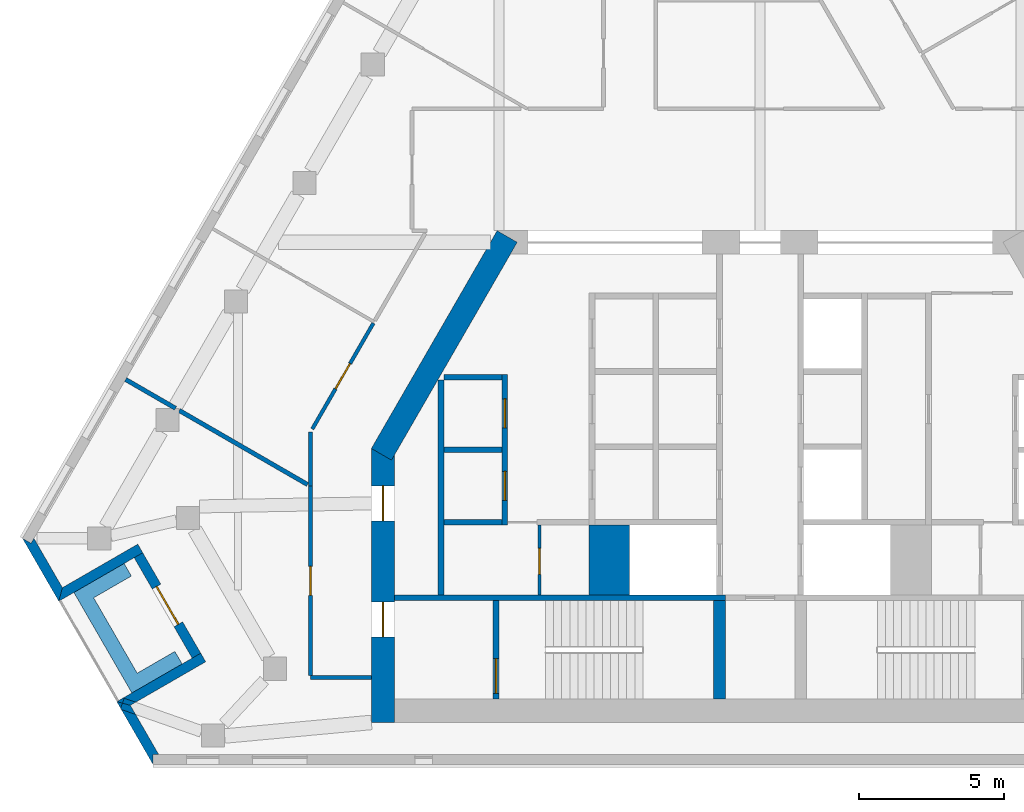
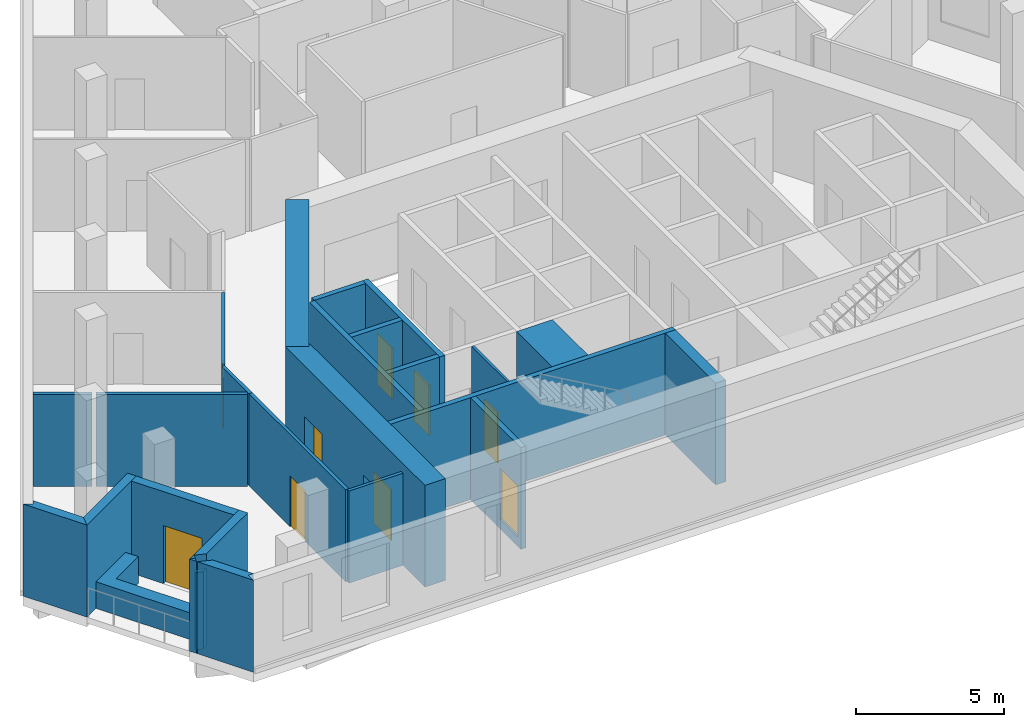
# One storey, part 2 of 9: 27 walls, 9 doors, 9 openings.
"""IFC4 building model written with IfcOpenShell, lengths in metres."""

import ifcopenshell
import ifcopenshell.guid

model = None  # the IFC model being written
_history = None  # IfcOwnerHistory: only IFC2X3 demands one
_inside = {}  # id of a spatial element -> (the spatial element, [elements in it])
_under = {}  # id of a project, library or spatial element -> (it, [spatial elements below it])
_declared = {}  # id of a project -> (the project, [libraries it declares])
_typed = {}  # id of a type object -> (the type object, [elements of that type])
_made_of = {}  # id of a material, layer set ... -> (it, [elements and type objects made of it])


def new_model(schema):
    """Start an empty IFC model of exactly this schema.

    Asked for "IFC4X3", IfcOpenShell would pick the latest addendum, in which some entities
    have other attributes; the version numbers below select the first issue.
    IFC2X3 requires an IfcOwnerHistory on every rooted entity: one is made here for all.
    """
    global model, _history
    if schema == "IFC4X3":
        model = ifcopenshell.file(schema_version=(4, 3, 0, 0))
    else:
        model = ifcopenshell.file(schema=schema)
    _inside.clear()
    _under.clear()
    _declared.clear()
    _typed.clear()
    _made_of.clear()
    _history = None
    if model.schema == "IFC2X3":
        org = make("IfcOrganization", Name="unknown")
        user = make(
            "IfcPersonAndOrganization",
            ThePerson=make("IfcPerson", FamilyName="unknown"),
            TheOrganization=org,
        )
        app = make(
            "IfcApplication",
            ApplicationDeveloper=org,
            Version="unknown",
            ApplicationFullName="unknown",
            ApplicationIdentifier="unknown",
        )
        _history = make(
            "IfcOwnerHistory",
            OwningUser=user,
            OwningApplication=app,
            ChangeAction="ADDED",
            CreationDate=0,
        )
    return model


def make(cls, **values):
    """One entity of the class cls with the attributes given. An attribute that is None is left unset."""
    return model.create_entity(
        cls, **{name: value for name, value in values.items() if value is not None}
    )


def rooted(cls, **values):
    """An entity with a GlobalId (a new one), such as an element, a storey or a relation."""
    return make(cls, GlobalId=ifcopenshell.guid.new(), OwnerHistory=_history, **values)


def si_unit(unit_type, name, prefix=None):
    """IfcSIUnit, for example si_unit("LENGTHUNIT", "METRE", prefix="MILLI")."""
    return make("IfcSIUnit", UnitType=unit_type, Prefix=prefix, Name=name)


def assignment(units):
    """IfcUnitAssignment: the units of a project."""
    return None if units is None else make("IfcUnitAssignment", Units=units)


def point(xyz):
    """IfcCartesianPoint."""
    return None if xyz is None else make("IfcCartesianPoint", Coordinates=xyz)


def direction(xyz):
    """IfcDirection."""
    return None if xyz is None else make("IfcDirection", DirectionRatios=xyz)


def frame(location, z_axis=None, x_axis=None):
    """IfcAxis2Placement3D, a coordinate frame: its origin and axes. An axis left out is left unset."""
    return make(
        "IfcAxis2Placement3D",
        Location=point(location),
        Axis=direction(z_axis),
        RefDirection=direction(x_axis),
    )


def frame_2d(location, x_axis=None):
    """IfcAxis2Placement2D, a coordinate frame in the plane: its origin and x axis."""
    return make(
        "IfcAxis2Placement2D", Location=point(location), RefDirection=direction(x_axis)
    )


def origin():
    """The frame at (0, 0, 0) with its axes left unset."""
    return frame((0.0, 0.0, 0.0))


def place(relative_to, where):
    """IfcLocalPlacement: puts the frame where relative to a parent placement (None: the world)."""
    return make(
        "IfcLocalPlacement", PlacementRelTo=relative_to, RelativePlacement=where
    )


def context(
    kind, dimensions, precision=None, world=None, true_north=None, identifier=None
):
    """IfcGeometricRepresentationContext, for example the 3D "Model" context."""
    return make(
        "IfcGeometricRepresentationContext",
        ContextIdentifier=identifier,
        ContextType=kind,
        CoordinateSpaceDimension=dimensions,
        Precision=precision,
        WorldCoordinateSystem=world,
        TrueNorth=true_north,
    )


def subcontext(parent, identifier, kind, view, scale=None):
    """IfcGeometricRepresentationSubContext, for example "Body" below "Model"."""
    return make(
        "IfcGeometricRepresentationSubContext",
        ContextIdentifier=identifier,
        ContextType=kind,
        ParentContext=parent,
        TargetScale=scale,
        TargetView=view,
    )


def project(units=None, contexts=None):
    """IfcProject with its units and contexts."""
    return rooted(
        "IfcProject",
        Name="project",
        RepresentationContexts=contexts,
        UnitsInContext=assignment(units),
    )


def spatial(cls, under=None, at=None, **own):
    """A site, building, storey or space (cls), placed at a placement, below another one or the project."""
    s = rooted(cls, ObjectPlacement=at, **own)
    if under is not None:
        _under.setdefault(under.id(), (under, []))[1].append(s)
    return s


def polyline(points):
    """IfcPolyline through the points."""
    return make("IfcPolyline", Points=[point(p) for p in points])


def profile(cls, at=None, kind="AREA", **sizes):
    """A parametric profile (cls). Its sizes go by their IFC names, for example OverallWidth=200.0."""
    return make(cls, ProfileType=kind, Position=at, **sizes)


def rectangle(**sizes):
    """IfcRectangleProfileDef."""
    return profile("IfcRectangleProfileDef", **sizes)


def outline(outer, holes=None, kind="AREA"):
    """IfcArbitraryClosedProfileDef: a profile drawn as a closed curve; with holes, ...WithVoids."""
    if holes is None:
        return make("IfcArbitraryClosedProfileDef", ProfileType=kind, OuterCurve=outer)
    return make(
        "IfcArbitraryProfileDefWithVoids",
        ProfileType=kind,
        OuterCurve=outer,
        InnerCurves=holes,
    )


def extrude(swept, where, along, depth):
    """IfcExtrudedAreaSolid: the profile swept, set in the frame where, extruded along a direction by depth."""
    return make(
        "IfcExtrudedAreaSolid",
        SweptArea=swept,
        Position=where,
        ExtrudedDirection=direction(along),
        Depth=depth,
    )


def shape(context_of_items, identifier, shape_type, items):
    """IfcShapeRepresentation: the items that make up one representation, for example the "Body"."""
    return make(
        "IfcShapeRepresentation",
        ContextOfItems=context_of_items,
        RepresentationIdentifier=identifier,
        RepresentationType=shape_type,
        Items=items,
    )


def material(Name=None, Category=None):
    """IfcMaterial."""
    return make("IfcMaterial", Name=Name, Category=Category)


def layer(
    of_material, thickness, ventilated=None, Name=None, Category=None, Priority=None
):
    """IfcMaterialLayer: one layer of a wall or slab, of a material (None: an air gap)."""
    return make(
        "IfcMaterialLayer",
        Material=of_material,
        LayerThickness=thickness,
        IsVentilated=ventilated,
        Name=Name,
        Category=Category,
        Priority=Priority,
    )


def layer_set(layers, Name=None):
    """IfcMaterialLayerSet."""
    return make("IfcMaterialLayerSet", MaterialLayers=layers, LayerSetName=Name)


def made_of(thing, what):
    """Note that an element or type object is made of a material, layer set ...; save() writes the relation."""
    if what is not None:
        _made_of.setdefault(what.id(), (what, []))[1].append(thing)
    return thing


def type_object(cls, material=None, **own):
    """A type object (cls), such as IfcWallType, which elements share."""
    return made_of(rooted(cls, **own), material)


def element(
    cls,
    number,
    at=None,
    inside=None,
    cuts=None,
    type_object=None,
    material=None,
    context=None,
    identifier="Body",
    shape_type=None,
    held_by="IfcProductDefinitionShape",
    body=None,
    shapes=None,
    **own,
):
    """One element of the class cls, such as IfcWall. Its Tag is "e" and its number.

    at: its placement. inside: the storey or other place that contains it. cuts: it is an
    opening in that element (IfcRelVoidsElement). A single representation is given by context,
    identifier, shape_type and body (its items); several are given by shapes. held_by: the class
    of the entity that holds the representations. save() writes the other relations.
    """
    e = rooted(cls, Tag="e%d" % number, ObjectPlacement=at, **own)
    if body is not None:
        shapes = [shape(context, identifier, shape_type, body)]
    if shapes is not None:
        e.Representation = make(held_by, Representations=shapes)
    if inside is not None:
        _inside.setdefault(inside.id(), (inside, []))[1].append(e)
    if cuts is not None:
        rooted(
            "IfcRelVoidsElement", RelatingBuildingElement=cuts, RelatedOpeningElement=e
        )
    if type_object is not None:
        _typed.setdefault(type_object.id(), (type_object, []))[1].append(e)
    return made_of(e, material)


def fill(opening, filler):
    """IfcRelFillsElement: the door or window that sits in an opening."""
    return rooted(
        "IfcRelFillsElement",
        RelatingOpeningElement=opening,
        RelatedBuildingElement=filler,
    )


def aggregate(whole, parts):
    """IfcRelAggregates: a whole, such as a stair, and the parts it consists of."""
    return rooted("IfcRelAggregates", RelatingObject=whole, RelatedObjects=parts)


def save(model, path):
    """Write the relations noted so far, then the file.

    IfcRelAggregates (storeys below a building ...), IfcRelContainedInSpatialStructure (elements
    in a storey), IfcRelDefinesByType, IfcRelAssociatesMaterial and IfcRelDeclares: one each for
    every whole, place, type object, material and project.
    """
    for whole, parts in _under.values():
        aggregate(whole, parts)
    for where, things in _inside.values():
        rooted(
            "IfcRelContainedInSpatialStructure",
            RelatedElements=things,
            RelatingStructure=where,
        )
    for kind, things in _typed.values():
        rooted("IfcRelDefinesByType", RelatedObjects=things, RelatingType=kind)
    for what, things in _made_of.values():
        rooted("IfcRelAssociatesMaterial", RelatedObjects=things, RelatingMaterial=what)
    for by, libraries in _declared.values():
        rooted("IfcRelDeclares", RelatingContext=by, RelatedDefinitions=libraries)
    model.write(path)


model = new_model("IFC4")

# Units and contexts
model_context = context("Model", 3, precision=1e-05, world=origin(), true_north=direction((0.0, 1.0)))
body_context = subcontext(model_context, "Body", "Model", "MODEL_VIEW")
ifc_project = project(units=[si_unit("LENGTHUNIT", "METRE"), si_unit("AREAUNIT", "SQUARE_METRE"), si_unit("VOLUMEUNIT", "CUBIC_METRE"), si_unit("PLANEANGLEUNIT", "RADIAN"), si_unit("MASSUNIT", "GRAM", prefix="KILO")], contexts=[model_context])

# Site, building, storey
site_placement = place(None, origin())
site = spatial("IfcSite", under=ifc_project, at=site_placement, CompositionType="ELEMENT")
building_placement = place(site_placement, origin())
building = spatial("IfcBuilding", under=site, at=building_placement, Name="Fogline Exchange Tower", CompositionType="ELEMENT")
storey_placement = place(building_placement, frame((0.0, 0.0, 279.300048828125)))
storey = spatial("IfcBuildingStorey", under=building, at=storey_placement, Name="L63", CompositionType="ELEMENT", Elevation=279.300048828125)

# Wall, opening, door
ifc_material_1 = material(Name="Blockwork partition", Category="masonry")
ifc_layer_1 = layer(ifc_material_1, 0.10009765625)
ifc_layer_set_1 = layer_set([ifc_layer_1], Name="CW10")
wall_type_1 = type_object("IfcWallType", Name="CW10", PredefinedType="PARTITIONING", material=ifc_layer_set_1)
wall_1_placement = place(storey_placement, frame((-7.60009765625, 5.85009765625, 0.0), z_axis=(0.0, 0.0, 1.0), x_axis=(0.0, 1.0, 0.0)))
wall_1 = element("IfcWall", 1, at=wall_1_placement, inside=storey, type_object=wall_type_1, Name="WC partition", PredefinedType="PARTITIONING", context=body_context, shape_type="SweptSolid", body=[
    extrude(rectangle(XDim=2.39990234375, YDim=0.10009765625, at=frame_2d((1.199951171875, 0.0))), origin(), (0.0, 0.0, 1.0), 3.800048828125),
])
opening_1_placement = place(wall_1_placement, frame((0.699951171875, 0.0, 0.0)))
opening_1 = element("IfcOpeningElement", 2, at=opening_1_placement, cuts=wall_1, Name="Opening T20-C013", PredefinedType="OPENING", context=body_context, shape_type="SweptSolid", body=[
    extrude(rectangle(XDim=0.89990234375, YDim=2.10009765625, at=frame_2d((0.449951171875, 1.050048828125))), frame((0.0, 0.06005859375, 0.0), z_axis=(0.0, -1.0, 0.0), x_axis=(1.0, 0.0, 0.0)), (0.0, 0.0, 1.0), 0.1201171875),
])
ifc_material_2 = material(Name="Steel and timber fire door", Category="steel")
door_type_1 = type_object("IfcDoorType", Name="D-CS1", OperationType="SINGLE_SWING_RIGHT", PredefinedType="DOOR", material=ifc_material_2)
door_1_placement = place(opening_1_placement, frame((0.89990234375, 0.0, 0.0), z_axis=(0.0, 0.0, 1.0), x_axis=(-1.0, 0.0, 0.0)))
door_1 = element("IfcDoor", 3, at=door_1_placement, inside=storey, type_object=door_type_1, Name="Door to Cleaner's Store", OperationType="SINGLE_SWING_RIGHT", OverallHeight=2.10009765625, OverallWidth=0.89990234375, PredefinedType="DOOR", context=body_context, shape_type="SweptSolid", body=[
    extrude(rectangle(XDim=0.89990234375, YDim=2.10009765625, at=frame_2d((0.449951171875, 1.050048828125))), frame((0.0, 0.02490234375, 0.0), z_axis=(0.0, -1.0, 0.0), x_axis=(1.0, 0.0, 0.0)), (0.0, 0.0, 1.0), 0.050048828125),
])
fill(opening_1, door_1)

# Walls
ifc_material_3 = material(Name="Concrete C60", Category="concrete")
ifc_layer_2 = layer(ifc_material_3, 1.39990234375)
ifc_layer_set_2 = layer_set([ifc_layer_2], Name="CW140")
wall_type_2 = type_object("IfcWallType", Name="CW140", PredefinedType="SOLIDWALL", material=ifc_layer_set_2)
wall_2_placement = place(storey_placement, frame((-5.199951171875, 5.85009765625, -0.400146484375), z_axis=(0.0, 0.0, 1.0), x_axis=(0.0, 1.0, 0.0)))
element("IfcWall", 4, at=wall_2_placement, inside=storey, type_object=wall_type_2, Name="Lift shaft block wall", PredefinedType="SOLIDWALL", context=body_context, shape_type="SweptSolid", body=[
    extrude(rectangle(XDim=2.39990234375, YDim=1.39990234375, at=frame_2d((1.199951171875, 0.0))), origin(), (0.0, 0.0, 1.0), 4.2001953125),
])
ifc_material_4 = material(Name="Concrete C40", Category="concrete")
ifc_layer_3 = layer(ifc_material_4, 0.199951171875)
ifc_layer_set_3 = layer_set([ifc_layer_3], Name="CW20")
wall_type_3 = type_object("IfcWallType", Name="CW20", PredefinedType="SOLIDWALL", material=ifc_layer_set_3)
wall_3_placement = place(storey_placement, frame((-11.0, 5.85009765625, 0.0), z_axis=(0.0, 0.0, 1.0), x_axis=(0.0, 1.0, 0.0)))
element("IfcWall", 5, at=wall_3_placement, inside=storey, type_object=wall_type_3, Name="Service room wall", PredefinedType="SOLIDWALL", context=body_context, shape_type="SweptSolid", body=[
    extrude(rectangle(XDim=7.39990234375, YDim=0.199951171875, at=frame_2d((3.699951171875, 0.0))), origin(), (0.0, 0.0, 1.0), 3.800048828125),
])
wall_4_placement = place(storey_placement, frame((-10.89990234375, 10.85009765625, 0.0), z_axis=(0.0, 0.0, 1.0), x_axis=(1.0, 0.0, 0.0)))
element("IfcWall", 6, at=wall_4_placement, inside=storey, type_object=wall_type_3, Name="Service room wall", PredefinedType="SOLIDWALL", context=body_context, shape_type="SweptSolid", body=[
    extrude(rectangle(XDim=2.0, YDim=0.199951171875, at=frame_2d((1.0, 0.0))), origin(), (0.0, 0.0, 1.0), 3.800048828125),
])
ifc_layer_4 = layer(ifc_material_4, 0.199951171875)
ifc_layer_set_4 = layer_set([ifc_layer_4], Name="CW20R")
wall_type_4 = type_object("IfcWallType", Name="CW20R", PredefinedType="SOLIDWALL", material=ifc_layer_set_4)
wall_5_placement = place(storey_placement, frame((-12.60009765625, 5.75, -0.400146484375), z_axis=(0.0, 0.0, 1.0), x_axis=(1.0, 0.0, 0.0)))
element("IfcWall", 7, at=wall_5_placement, inside=storey, type_object=wall_type_4, Name="Stair enclosure wall", PredefinedType="SOLIDWALL", context=body_context, shape_type="SweptSolid", body=[
    extrude(rectangle(XDim=11.400146484375, YDim=0.199951171875, at=frame_2d((5.7001953125, 0.0))), origin(), (0.0, 0.0, 1.0), 4.2001953125),
])

# Wall, opening, door
wall_6_placement = place(storey_placement, frame((-9.10009765625, 2.25, -0.400146484375), z_axis=(0.0, 0.0, 1.0), x_axis=(0.0, 1.0, 0.0)))
wall_6 = element("IfcWall", 8, at=wall_6_placement, inside=storey, type_object=wall_type_4, Name="Stair enclosure wall", PredefinedType="SOLIDWALL", context=body_context, shape_type="SweptSolid", body=[
    extrude(rectangle(XDim=3.39990234375, YDim=0.199951171875, at=frame_2d((1.699951171875, 0.0))), origin(), (0.0, 0.0, 1.0), 4.2001953125),
])
opening_2_placement = place(wall_6_placement, frame((0.199951171875, 0.0, 0.39990234375)))
opening_2 = element("IfcOpeningElement", 9, at=opening_2_placement, cuts=wall_6, Name="Opening T20-C015", PredefinedType="OPENING", context=body_context, shape_type="SweptSolid", body=[
    extrude(rectangle(XDim=1.199951171875, YDim=2.10009765625, at=frame_2d((0.60009765625, 1.050048828125))), frame((0.0, 0.10986328125, 0.0), z_axis=(0.0, -1.0, 0.0), x_axis=(1.0, 0.0, 0.0)), (0.0, 0.0, 1.0), 0.219970703125),
])
door_type_2 = type_object("IfcDoorType", Name="D-ST1", OperationType="SINGLE_SWING_LEFT", PredefinedType="DOOR", material=ifc_material_2)
door_2_placement = place(opening_2_placement, frame((1.199951171875, 0.0, 0.0), z_axis=(0.0, 0.0, 1.0), x_axis=(-1.0, 0.0, 0.0)))
door_2 = element("IfcDoor", 10, at=door_2_placement, inside=storey, type_object=door_type_2, Name="Stair door ST1", OperationType="SINGLE_SWING_RIGHT", OverallHeight=2.10009765625, OverallWidth=1.199951171875, PredefinedType="DOOR", context=body_context, shape_type="SweptSolid", body=[
    extrude(rectangle(XDim=1.199951171875, YDim=2.10009765625, at=frame_2d((0.60009765625, 1.050048828125))), frame((0.0, 0.02490234375, 0.0), z_axis=(0.0, -1.0, 0.0), x_axis=(1.0, 0.0, 0.0)), (0.0, 0.0, 1.0), 0.050048828125),
])
fill(opening_2, door_2)

# Wall, openings, doors
ifc_layer_5 = layer(ifc_material_4, 0.199951171875)
ifc_layer_set_5 = layer_set([ifc_layer_5], Name="CW20S")
wall_type_5 = type_object("IfcWallType", Name="CW20S", PredefinedType="SOLIDWALL", material=ifc_layer_set_5)
wall_7_placement = place(storey_placement, frame((-8.800048828125, 8.25, -0.400146484375), z_axis=(0.0, 0.0, 1.0), x_axis=(0.0, 1.0, 0.0)))
wall_7 = element("IfcWall", 11, at=wall_7_placement, inside=storey, type_object=wall_type_5, Name="Lift shaft wall", PredefinedType="SOLIDWALL", context=body_context, shape_type="SweptSolid", body=[
    extrude(rectangle(XDim=5.199951171875, YDim=0.199951171875, at=frame_2d((2.60009765625, 0.0))), origin(), (0.0, 0.0, 1.0), 4.2001953125),
])
opening_3_placement = place(wall_7_placement, frame((0.85009765625, 0.0, 0.39990234375)))
opening_3 = element("IfcOpeningElement", 12, at=opening_3_placement, cuts=wall_7, Name="Opening T20-C001", PredefinedType="OPENING", context=body_context, shape_type="SweptSolid", body=[
    extrude(rectangle(XDim=1.0, YDim=2.10009765625, at=frame_2d((0.5, 1.050048828125))), frame((0.0, 0.10986328125, 0.0), z_axis=(0.0, -1.0, 0.0), x_axis=(1.0, 0.0, 0.0)), (0.0, 0.0, 1.0), 0.219970703125),
])
opening_4_placement = place(wall_7_placement, frame((3.35009765625, 0.0, 0.39990234375)))
opening_4 = element("IfcOpeningElement", 13, at=opening_4_placement, cuts=wall_7, Name="Opening T20-C002", PredefinedType="OPENING", context=body_context, shape_type="SweptSolid", body=[
    extrude(rectangle(XDim=1.0, YDim=2.10009765625, at=frame_2d((0.5, 1.050048828125))), frame((0.0, 0.10986328125, 0.0), z_axis=(0.0, -1.0, 0.0), x_axis=(1.0, 0.0, 0.0)), (0.0, 0.0, 1.0), 0.219970703125),
])
door_type_3 = type_object("IfcDoorType", Name="D-RM1", OperationType="SINGLE_SWING_LEFT", PredefinedType="DOOR", material=ifc_material_2)
door_3_placement = place(opening_3_placement, origin())
door_3 = element("IfcDoor", 14, at=door_3_placement, inside=storey, type_object=door_type_3, Name="Door to Riser Room", OperationType="SINGLE_SWING_RIGHT", OverallHeight=2.10009765625, OverallWidth=1.0, PredefinedType="DOOR", context=body_context, shape_type="SweptSolid", body=[
    extrude(rectangle(XDim=1.0, YDim=2.10009765625, at=frame_2d((0.5, 1.050048828125))), frame((0.0, 0.02490234375, 0.0), z_axis=(0.0, -1.0, 0.0), x_axis=(1.0, 0.0, 0.0)), (0.0, 0.0, 1.0), 0.050048828125),
])
fill(opening_3, door_3)
door_4_placement = place(opening_4_placement, origin())
door_4 = element("IfcDoor", 15, at=door_4_placement, inside=storey, type_object=door_type_3, Name="Door to Plant Room", OperationType="SINGLE_SWING_RIGHT", OverallHeight=2.10009765625, OverallWidth=1.0, PredefinedType="DOOR", context=body_context, shape_type="SweptSolid", body=[
    extrude(rectangle(XDim=1.0, YDim=2.10009765625, at=frame_2d((0.5, 1.050048828125))), frame((0.0, 0.02490234375, 0.0), z_axis=(0.0, -1.0, 0.0), x_axis=(1.0, 0.0, 0.0)), (0.0, 0.0, 1.0), 0.050048828125),
])
fill(opening_4, door_4)

# Walls
for number, where, z_axis, x_axis, name in (
    (16, (-10.89990234375, 8.35009765625, -0.400146484375), (0.0, 0.0, 1.0), (1.0, 0.0, 0.0), "Lift shaft wall"),
    (17, (-10.89990234375, 13.35009765625, -0.400146484375), (0.0, 0.0, 1.0), (1.0, 0.0, 0.0), "Lift shaft wall"),
):
    element("IfcWall", number, at=place(storey_placement, frame(where, z_axis=z_axis, x_axis=x_axis)), inside=storey, type_object=wall_type_5, Name=name, PredefinedType="SOLIDWALL", context=body_context, shape_type="SweptSolid", body=[
        extrude(rectangle(XDim=2.0, YDim=0.199951171875, at=frame_2d((1.0, 0.0))), origin(), (0.0, 0.0, 1.0), 4.2001953125),
    ])
ifc_layer_6 = layer(ifc_material_4, 0.39990234375)
ifc_layer_set_6 = layer_set([ifc_layer_6], Name="CW40R")
wall_type_6 = type_object("IfcWallType", Name="CW40R", PredefinedType="SOLIDWALL", material=ifc_layer_set_6)
wall_8_placement = place(storey_placement, frame((-1.39990234375, 2.25, -0.400146484375), z_axis=(0.0, 0.0, 1.0), x_axis=(0.0, 1.0, 0.0)))
element("IfcWall", 18, at=wall_8_placement, inside=storey, type_object=wall_type_6, Name="Stair and lift shaft wall", PredefinedType="SOLIDWALL", context=body_context, shape_type="SweptSolid", body=[
    extrude(rectangle(XDim=3.39990234375, YDim=0.39990234375, at=frame_2d((1.699951171875, 0.0))), origin(), (0.0, 0.0, 1.0), 4.2001953125),
])
ifc_material_5 = material(Name="Brick masonry", Category="masonry")
ifc_layer_7 = layer(ifc_material_5, 0.340087890625)
ifc_layer_set_7 = layer_set([ifc_layer_7], Name="FW1")
wall_type_7 = type_object("IfcWallType", Name="FW1", PredefinedType="SOLIDWALL", material=ifc_layer_set_7)
wall_9_placement = place(storey_placement, origin())
element("IfcWall", 19, at=wall_9_placement, inside=storey, type_object=wall_type_7, Name="Brick wall L63 SW-c1", PredefinedType="SOLIDWALL", context=body_context, shape_type="SweptSolid", body=[
    extrude(outline(polyline([(-24.174560546875, 5.6279296875), (-25.425537109375, 7.794921875), (-25.42529296875, 7.79541015625), (-25.13037109375, 7.625), (-25.031982421875, 7.79541015625), (-24.049560546875, 6.09375), (-24.17431640625, 5.6279296875), (-24.174560546875, 5.6279296875)])), origin(), (0.0, 0.0, 1.0), 3.800048828125),
])
wall_10_placement = place(storey_placement, origin())
element("IfcWall", 20, at=wall_10_placement, inside=storey, type_object=wall_type_7, Name="Brick wall L63 SW-s1", PredefinedType="SOLIDWALL", context=body_context, shape_type="SweptSolid", body=[
    extrude(outline(polyline([(-21.451904296875, 7.594482421875), (-21.28125, 7.298828125), (-21.576171875, 7.128662109375), (-24.17529296875, 5.628173828125), (-24.175537109375, 5.62841796875), (-24.050537109375, 6.093994140625), (-21.451904296875, 7.594482421875)])), origin(), (0.0, 0.0, 1.0), 3.800048828125),
])

# Wall, opening, door
wall_11_placement = place(storey_placement, frame((-21.42919921875, 7.214111328125, 0.0), z_axis=(0.0, 0.0, 1.0), x_axis=(0.49999894854, -0.866026010844, 0.0)))
wall_11 = element("IfcWall", 21, at=wall_11_placement, inside=storey, type_object=wall_type_7, Name="Brick wall L63 SW-bk", PredefinedType="SOLIDWALL", context=body_context, shape_type="SweptSolid", body=[
    extrude(rectangle(XDim=4.0, YDim=0.340087890625, at=frame_2d((2.0, 0.0))), origin(), (0.0, 0.0, 1.0), 3.800048828125),
])
opening_5_placement = place(wall_11_placement, frame((1.25, 0.0, 0.0)))
opening_5 = element("IfcOpeningElement", 22, at=opening_5_placement, cuts=wall_11, Name="Opening T20-E021", PredefinedType="OPENING", context=body_context, shape_type="SweptSolid", body=[
    extrude(rectangle(XDim=1.5, YDim=2.39990234375, at=frame_2d((0.75, 1.199951171875))), frame((0.0, 0.18017578125, 0.0), z_axis=(0.0, -1.0, 0.0), x_axis=(1.0, 0.0, 0.0)), (0.0, 0.0, 1.0), 0.360107421875),
])
ifc_material_6 = material(Name="Aluminium and glass", Category="aluminium")
door_type_4 = type_object("IfcDoorType", Name="ED4", OperationType="SINGLE_SWING_LEFT", PredefinedType="DOOR", material=ifc_material_6)
door_5_placement = place(opening_5_placement, frame((1.5, 0.0, 0.0), z_axis=(0.0, 0.0, 1.0), x_axis=(-1.0, 0.0, 0.0)))
door_5 = element("IfcDoor", 23, at=door_5_placement, inside=storey, type_object=door_type_4, Name="Balcony door L63 SW", OperationType="DOUBLE_DOOR_SINGLE_SWING", OverallHeight=2.39990234375, OverallWidth=1.5, PredefinedType="DOOR", context=body_context, shape_type="SweptSolid", body=[
    extrude(rectangle(XDim=1.5, YDim=2.39990234375, at=frame_2d((0.75, 1.199951171875))), frame((0.0, 0.02490234375, 0.0), z_axis=(0.0, -1.0, 0.0), x_axis=(1.0, 0.0, 0.0)), (0.0, 0.0, 1.0), 0.050048828125),
])
fill(opening_5, door_5)

# Walls
wall_12_placement = place(storey_placement, origin())
element("IfcWall", 24, at=wall_12_placement, inside=storey, type_object=wall_type_7, Name="Brick wall L63 SW-s2", PredefinedType="SOLIDWALL", context=body_context, shape_type="SweptSolid", body=[
    extrude(outline(polyline([(-21.7099609375, 2.0400390625), (-21.980224609375, 2.1123046875), (-21.919677734375, 2.28515625), (-21.52490234375, 2.14697265625), (-21.7099609375, 2.0400390625)])), origin(), (0.0, 0.0, 1.0), 3.199951171875),
])
wall_13_placement = place(storey_placement, origin())
element("IfcWall", 25, at=wall_13_placement, inside=storey, type_object=wall_type_7, Name="Brick wall L63 SW-s2", PredefinedType="SOLIDWALL", context=body_context, shape_type="SweptSolid", body=[
    extrude(outline(polyline([(-19.576904296875, 3.66552734375), (-19.28173828125, 3.8359375), (-19.111328125, 3.540283203125), (-21.52490234375, 2.14697265625), (-21.919677734375, 2.28515625), (-21.980224609375, 2.1123046875), (-22.17578125, 2.164794921875), (-22.17578125, 2.1650390625), (-19.576904296875, 3.66552734375)])), origin(), (0.0, 0.0, 1.0), 3.800048828125),
])
wall_14_placement = place(storey_placement, origin())
element("IfcWall", 26, at=wall_14_placement, inside=storey, type_object=wall_type_7, Name="Brick wall L63 SW-c2", PredefinedType="SOLIDWALL", context=body_context, shape_type="SweptSolid", body=[
    extrude(outline(polyline([(-22.04248046875, 1.93505859375), (-21.979736328125, 2.113525390625), (-21.709716796875, 2.041015625), (-21.5263671875, 1.7236328125), (-22.020263671875, 1.896728515625), (-22.04248046875, 1.93505859375)])), origin(), (0.0, 0.0, 1.0), 3.199951171875),
])
wall_15_placement = place(storey_placement, origin())
element("IfcWall", 27, at=wall_15_placement, inside=storey, type_object=wall_type_7, Name="Brick wall L63 SW-c2", PredefinedType="SOLIDWALL", context=body_context, shape_type="SweptSolid", body=[
    extrude(outline(polyline([(-20.924072265625, 0.33935546875), (-20.924072265625, -0.0009765625), (-20.924560546875, -0.001220703125), (-22.020263671875, 1.896728515625), (-21.5263671875, 1.7236328125), (-20.727294921875, 0.33935546875), (-20.924072265625, 0.33935546875)])), origin(), (0.0, 0.0, 1.0), 3.800048828125),
])
wall_16_placement = place(storey_placement, origin())
element("IfcWall", 28, at=wall_16_placement, inside=storey, type_object=wall_type_7, Name="Brick wall L63 SW-c2", PredefinedType="SOLIDWALL", context=body_context, shape_type="SweptSolid", body=[
    extrude(outline(polyline([(-22.175537109375, 2.165771484375), (-22.175537109375, 2.166015625), (-21.979736328125, 2.113525390625), (-22.04248046875, 1.93505859375), (-22.175537109375, 2.165771484375)])), origin(), (0.0, 0.0, 1.0), 3.800048828125),
])
ifc_material_7 = material(Name="Concrete C30", Category="concrete")
ifc_layer_8 = layer(ifc_material_7, 0.199951171875)
ifc_layer_set_8 = layer_set([ifc_layer_8], Name="PL1")
wall_type_8 = type_object("IfcWallType", Name="PL1", PredefinedType="USERDEFINED", material=ifc_layer_set_8)
wall_17_placement = place(storey_placement, origin())
element("IfcWall", 29, at=wall_17_placement, inside=storey, type_object=wall_type_8, Name="PLANTER balcony L63 SW", ObjectType="PLANTER", PredefinedType="USERDEFINED", context=body_context, shape_type="SweptSolid", body=[
    extrude(outline(polyline([(-20.1728515625, 3.898193359375), (-21.471923828125, 3.148193359375), (-22.971923828125, 5.74609375), (-21.6728515625, 6.49609375), (-21.9228515625, 6.92919921875), (-23.655029296875, 5.92919921875), (-23.405029296875, 5.49609375), (-21.655029296875, 2.465087890625), (-21.221923828125, 2.715087890625), (-21.221923828125, 2.715087890625), (-19.9228515625, 3.465087890625), (-20.1728515625, 3.898193359375)])), origin(), (0.0, 0.0, 1.0), 1.099853515625),
])
ifc_material_8 = material(Name="Plasterboard corridor partition with mineral wool, 2 layers each side")
ifc_layer_9 = layer(ifc_material_8, 0.125)
ifc_layer_set_9 = layer_set([ifc_layer_9], Name="PW2")
wall_type_9 = type_object("IfcWallType", Name="PW2", PredefinedType="PARTITIONING", material=ifc_layer_set_9)
wall_18_placement = place(storey_placement, frame((-15.5, 9.5927734375, 0.0), z_axis=(0.0, 0.0, 1.0), x_axis=(0.0, 1.0, 0.0)))
element("IfcWall", 30, at=wall_18_placement, inside=storey, type_object=wall_type_9, Name="wall-L63-W017", PredefinedType="PARTITIONING", context=body_context, shape_type="SweptSolid", body=[
    extrude(rectangle(XDim=1.86181640625, YDim=0.125, at=frame_2d((0.930908203125, 0.0))), origin(), (0.0, 0.0, 1.0), 3.800048828125),
])

# Wall, opening, door
wall_19_placement = place(storey_placement, frame((-15.4375, 11.562744140625, 0.0), z_axis=(0.0, 0.0, 1.0), x_axis=(0.500010096862, 0.86601957428, 0.0)))
wall_19 = element("IfcWall", 31, at=wall_19_placement, inside=storey, type_object=wall_type_9, Name="wall-L63-W018", PredefinedType="PARTITIONING", context=body_context, shape_type="SweptSolid", body=[
    extrude(rectangle(XDim=4.21240234375, YDim=0.125, at=frame_2d((2.106201171875, 0.0))), origin(), (0.0, 0.0, 1.0), 3.800048828125),
])
opening_6_placement = place(wall_19_placement, frame((1.606201171875, 0.0, 0.0)))
opening_6 = element("IfcOpeningElement", 32, at=opening_6_placement, cuts=wall_19, Name="Opening T20-D007", PredefinedType="OPENING", context=body_context, shape_type="SweptSolid", body=[
    extrude(rectangle(XDim=1.0, YDim=2.10009765625, at=frame_2d((0.5, 1.050048828125))), frame((0.0, 0.072509765625, 0.0), z_axis=(0.0, -1.0, 0.0), x_axis=(1.0, 0.0, 0.0)), (0.0, 0.0, 1.0), 0.14501953125),
])
ifc_material_9 = material(Name="Fire-rated timber door leaf with steel frame", Category="steel")
door_type_5 = type_object("IfcDoorType", Name="D3", OperationType="SINGLE_SWING_LEFT", PredefinedType="DOOR", material=ifc_material_9)
door_6_placement = place(opening_6_placement, origin())
door_6 = element("IfcDoor", 33, at=door_6_placement, inside=storey, type_object=door_type_5, Name="door-L63-D007", OperationType="SINGLE_SWING_LEFT", OverallHeight=2.10009765625, OverallWidth=1.0, PredefinedType="DOOR", context=body_context, shape_type="SweptSolid", body=[
    extrude(rectangle(XDim=1.0, YDim=2.10009765625, at=frame_2d((0.5, 1.050048828125))), frame((0.0, 0.02490234375, 0.0), z_axis=(0.0, -1.0, 0.0), x_axis=(1.0, 0.0, 0.0)), (0.0, 0.0, 1.0), 0.050048828125),
])
fill(opening_6, door_6)

# Wall
wall_20_placement = place(storey_placement, frame((-13.39990234375, 3.0, 0.0), z_axis=(0.0, 0.0, 1.0), x_axis=(-1.0, 0.0, 0.0)))
element("IfcWall", 34, at=wall_20_placement, inside=storey, type_object=wall_type_9, Name="wall-L63-W019", PredefinedType="PARTITIONING", context=body_context, shape_type="SweptSolid", body=[
    extrude(rectangle(XDim=2.10009765625, YDim=0.125, at=frame_2d((1.050048828125, 0.0))), origin(), (0.0, 0.0, 1.0), 3.800048828125),
])

# Wall, opening, door
wall_21_placement = place(storey_placement, frame((-15.5, 3.0625, 0.0), z_axis=(0.0, 0.0, 1.0), x_axis=(0.0, 1.0, 0.0)))
wall_21 = element("IfcWall", 35, at=wall_21_placement, inside=storey, type_object=wall_type_9, Name="wall-L63-W020", PredefinedType="PARTITIONING", context=body_context, shape_type="SweptSolid", body=[
    extrude(rectangle(XDim=6.5302734375, YDim=0.125, at=frame_2d((3.26513671875, 0.0))), origin(), (0.0, 0.0, 1.0), 3.800048828125),
])
opening_7_placement = place(wall_21_placement, frame((2.76513671875, 0.0, 0.0)))
opening_7 = element("IfcOpeningElement", 36, at=opening_7_placement, cuts=wall_21, Name="Opening T20-D008", PredefinedType="OPENING", context=body_context, shape_type="SweptSolid", body=[
    extrude(rectangle(XDim=1.0, YDim=2.10009765625, at=frame_2d((0.5, 1.050048828125))), frame((0.0, 0.072509765625, 0.0), z_axis=(0.0, -1.0, 0.0), x_axis=(1.0, 0.0, 0.0)), (0.0, 0.0, 1.0), 0.14501953125),
])
door_7_placement = place(opening_7_placement, origin())
door_7 = element("IfcDoor", 37, at=door_7_placement, inside=storey, type_object=door_type_5, Name="door-L63-D008", OperationType="SINGLE_SWING_LEFT", OverallHeight=2.10009765625, OverallWidth=1.0, PredefinedType="DOOR", context=body_context, shape_type="SweptSolid", body=[
    extrude(rectangle(XDim=1.0, YDim=2.10009765625, at=frame_2d((0.5, 1.050048828125))), frame((0.0, 0.02490234375, 0.0), z_axis=(0.0, -1.0, 0.0), x_axis=(1.0, 0.0, 0.0)), (0.0, 0.0, 1.0), 0.050048828125),
])
fill(opening_7, door_7)

# Walls
ifc_material_10 = material(Name="Plasterboard demising partition with mineral wool and acoustic board")
ifc_layer_10 = layer(ifc_material_10, 0.14990234375)
ifc_layer_set_10 = layer_set([ifc_layer_10], Name="PW3")
wall_type_10 = type_object("IfcWallType", Name="PW3", PredefinedType="PARTITIONING", material=ifc_layer_set_10)
wall_22_placement = place(storey_placement, frame((-15.600341796875, 9.650634765625, 0.0), z_axis=(0.0, 0.0, 1.0), x_axis=(-0.866031147513, 0.499990051438, 0.0)))
element("IfcWall", 38, at=wall_22_placement, inside=storey, type_object=wall_type_10, Name="wall-L63-W044", PredefinedType="PARTITIONING", context=body_context, shape_type="SweptSolid", body=[
    extrude(rectangle(XDim=5.10693359375, YDim=0.14990234375, at=frame_2d((2.553466796875, 0.0))), origin(), (0.0, 0.0, 1.0), 3.800048828125),
])
wall_23_placement = place(storey_placement, frame((-20.1494140625, 12.277099609375, 0.0), z_axis=(0.0, 0.0, 1.0), x_axis=(-0.866034166718, 0.499984821847, 0.0)))
element("IfcWall", 39, at=wall_23_placement, inside=storey, type_object=wall_type_10, Name="wall-L63-W045", PredefinedType="PARTITIONING", context=body_context, shape_type="SweptSolid", body=[
    extrude(rectangle(XDim=1.98681640625, YDim=0.14990234375, at=frame_2d((0.993408203125, 0.0))), origin(), (0.0, 0.0, 1.0), 3.800048828125),
])
ifc_material_11 = material(Name="Concrete C50", Category="concrete")
ifc_layer_11 = layer(ifc_material_11, 0.800048828125)
ifc_layer_set_11 = layer_set([ifc_layer_11], Name="SW04")
wall_type_11 = type_object("IfcWallType", Name="SW04", PredefinedType="SHEAR", material=ifc_layer_set_11)
wall_24_placement = place(storey_placement, frame((-8.71875, 18.199951171875, 0.0), z_axis=(0.0, 0.0, 1.0), x_axis=(-0.500015780397, -0.866016292776, 0.0)))
element("IfcWall", 40, at=wall_24_placement, inside=storey, type_object=wall_type_11, Name="L63-W905", PredefinedType="SHEAR", context=body_context, shape_type="SweptSolid", body=[
    extrude(rectangle(XDim=8.669677734375, YDim=0.800048828125, at=frame_2d((4.3349609375, 0.0))), origin(), (0.0, 0.0, 1.0), 4.199951171875),
])

# Wall, openings, doors
wall_25_placement = place(storey_placement, frame((-13.0, 10.891845703125, 0.0), z_axis=(0.0, 0.0, 1.0), x_axis=(0.0, -1.0, 0.0)))
wall_25 = element("IfcWall", 41, at=wall_25_placement, inside=storey, type_object=wall_type_11, Name="L63-W906", PredefinedType="SHEAR", context=body_context, shape_type="SweptSolid", body=[
    extrude(rectangle(XDim=9.44189453125, YDim=0.800048828125, at=frame_2d((4.720947265625, 0.0))), origin(), (0.0, 0.0, 1.0), 4.199951171875),
])
opening_8_placement = place(wall_25_placement, frame((5.291748046875, 0.0, 0.0)))
opening_8 = element("IfcOpeningElement", 42, at=opening_8_placement, cuts=wall_25, Name="Opening T20-C014", PredefinedType="OPENING", context=body_context, shape_type="SweptSolid", body=[
    extrude(rectangle(XDim=1.199951171875, YDim=2.10009765625, at=frame_2d((0.60009765625, 1.050048828125))), frame((0.0, 0.41015625, 0.0), z_axis=(0.0, -1.0, 0.0), x_axis=(1.0, 0.0, 0.0)), (0.0, 0.0, 1.0), 0.820068359375),
])
opening_9_placement = place(wall_25_placement, frame((1.291748046875, 0.0, 0.0)))
opening_9 = element("IfcOpeningElement", 43, at=opening_9_placement, cuts=wall_25, Name="Opening T20-C016", PredefinedType="OPENING", context=body_context, shape_type="SweptSolid", body=[
    extrude(rectangle(XDim=1.199951171875, YDim=2.10009765625, at=frame_2d((0.60009765625, 1.050048828125))), frame((0.0, 0.41015625, 0.0), z_axis=(0.0, -1.0, 0.0), x_axis=(1.0, 0.0, 0.0)), (0.0, 0.0, 1.0), 0.820068359375),
])
door_type_6 = type_object("IfcDoorType", Name="D-FR1", OperationType="SINGLE_SWING_RIGHT", PredefinedType="DOOR", material=ifc_material_2)
door_8_placement = place(opening_8_placement, origin())
door_8 = element("IfcDoor", 44, at=door_8_placement, inside=storey, type_object=door_type_6, Name="Front room door ST1", OperationType="SINGLE_SWING_LEFT", OverallHeight=2.10009765625, OverallWidth=1.199951171875, PredefinedType="DOOR", context=body_context, shape_type="SweptSolid", body=[
    extrude(rectangle(XDim=1.199951171875, YDim=2.10009765625, at=frame_2d((0.60009765625, 1.050048828125))), frame((0.0, 0.02490234375, 0.0), z_axis=(0.0, -1.0, 0.0), x_axis=(1.0, 0.0, 0.0)), (0.0, 0.0, 1.0), 0.050048828125),
])
fill(opening_8, door_8)
door_type_7 = type_object("IfcDoorType", Name="D-SV1", OperationType="SINGLE_SWING_LEFT", PredefinedType="DOOR", material=ifc_material_2)
door_9_placement = place(opening_9_placement, origin())
door_9 = element("IfcDoor", 45, at=door_9_placement, inside=storey, type_object=door_type_7, Name="Service door W", OperationType="SINGLE_SWING_LEFT", OverallHeight=2.10009765625, OverallWidth=1.199951171875, PredefinedType="DOOR", context=body_context, shape_type="SweptSolid", body=[
    extrude(rectangle(XDim=1.199951171875, YDim=2.10009765625, at=frame_2d((0.60009765625, 1.050048828125))), frame((0.0, 0.02490234375, 0.0), z_axis=(0.0, -1.0, 0.0), x_axis=(1.0, 0.0, 0.0)), (0.0, 0.0, 1.0), 0.050048828125),
])
fill(opening_9, door_9)

save(model, "model.ifc")
